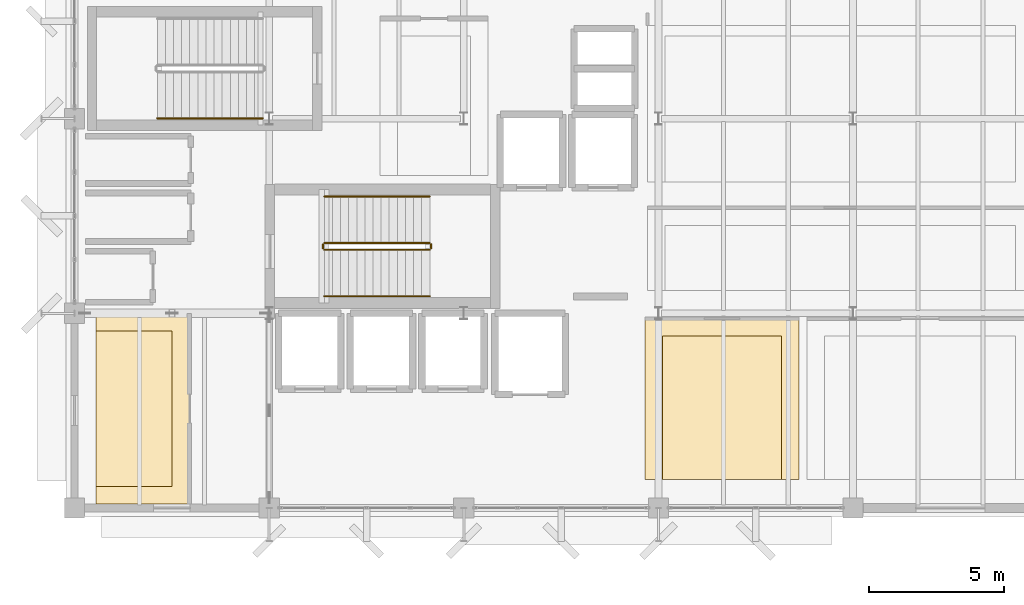
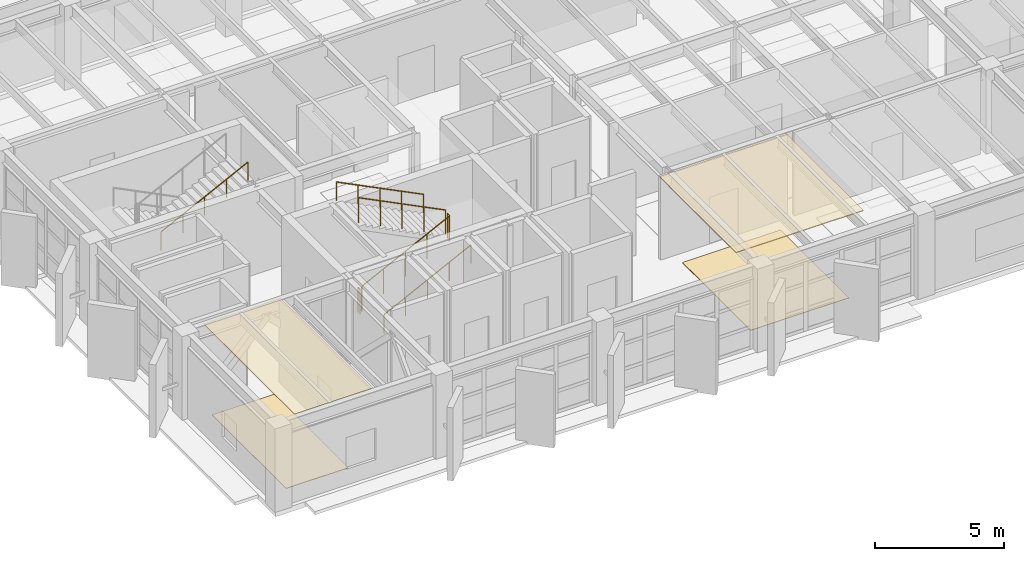
# One storey, part 32 of 37: 7 railings, 4 coverings.
"""IFC4 building model written with IfcOpenShell, lengths in metres."""

import ifcopenshell
import ifcopenshell.guid

model = None  # the IFC model being written
_history = None  # IfcOwnerHistory: only IFC2X3 demands one
_inside = {}  # id of a spatial element -> (the spatial element, [elements in it])
_under = {}  # id of a project, library or spatial element -> (it, [spatial elements below it])
_declared = {}  # id of a project -> (the project, [libraries it declares])
_typed = {}  # id of a type object -> (the type object, [elements of that type])
_made_of = {}  # id of a material, layer set ... -> (it, [elements and type objects made of it])


def new_model(schema):
    """Start an empty IFC model of exactly this schema.

    Asked for "IFC4X3", IfcOpenShell would pick the latest addendum, in which some entities
    have other attributes; the version numbers below select the first issue.
    IFC2X3 requires an IfcOwnerHistory on every rooted entity: one is made here for all.
    """
    global model, _history
    if schema == "IFC4X3":
        model = ifcopenshell.file(schema_version=(4, 3, 0, 0))
    else:
        model = ifcopenshell.file(schema=schema)
    _inside.clear()
    _under.clear()
    _declared.clear()
    _typed.clear()
    _made_of.clear()
    _history = None
    if model.schema == "IFC2X3":
        org = make("IfcOrganization", Name="unknown")
        user = make(
            "IfcPersonAndOrganization",
            ThePerson=make("IfcPerson", FamilyName="unknown"),
            TheOrganization=org,
        )
        app = make(
            "IfcApplication",
            ApplicationDeveloper=org,
            Version="unknown",
            ApplicationFullName="unknown",
            ApplicationIdentifier="unknown",
        )
        _history = make(
            "IfcOwnerHistory",
            OwningUser=user,
            OwningApplication=app,
            ChangeAction="ADDED",
            CreationDate=0,
        )
    return model


def make(cls, **values):
    """One entity of the class cls with the attributes given. An attribute that is None is left unset."""
    return model.create_entity(
        cls, **{name: value for name, value in values.items() if value is not None}
    )


def rooted(cls, **values):
    """An entity with a GlobalId (a new one), such as an element, a storey or a relation."""
    return make(cls, GlobalId=ifcopenshell.guid.new(), OwnerHistory=_history, **values)


def si_unit(unit_type, name, prefix=None):
    """IfcSIUnit, for example si_unit("LENGTHUNIT", "METRE", prefix="MILLI")."""
    return make("IfcSIUnit", UnitType=unit_type, Prefix=prefix, Name=name)


def assignment(units):
    """IfcUnitAssignment: the units of a project."""
    return None if units is None else make("IfcUnitAssignment", Units=units)


def point(xyz):
    """IfcCartesianPoint."""
    return None if xyz is None else make("IfcCartesianPoint", Coordinates=xyz)


def direction(xyz):
    """IfcDirection."""
    return None if xyz is None else make("IfcDirection", DirectionRatios=xyz)


def frame(location, z_axis=None, x_axis=None):
    """IfcAxis2Placement3D, a coordinate frame: its origin and axes. An axis left out is left unset."""
    return make(
        "IfcAxis2Placement3D",
        Location=point(location),
        Axis=direction(z_axis),
        RefDirection=direction(x_axis),
    )


def frame_2d(location, x_axis=None):
    """IfcAxis2Placement2D, a coordinate frame in the plane: its origin and x axis."""
    return make(
        "IfcAxis2Placement2D", Location=point(location), RefDirection=direction(x_axis)
    )


def origin():
    """The frame at (0, 0, 0) with its axes left unset."""
    return frame((0.0, 0.0, 0.0))


def origin_2d():
    """The frame at (0, 0) in the plane with its x axis left unset."""
    return frame_2d((0.0, 0.0))


def place(relative_to, where):
    """IfcLocalPlacement: puts the frame where relative to a parent placement (None: the world)."""
    return make(
        "IfcLocalPlacement", PlacementRelTo=relative_to, RelativePlacement=where
    )


def context(
    kind, dimensions, precision=None, world=None, true_north=None, identifier=None
):
    """IfcGeometricRepresentationContext, for example the 3D "Model" context."""
    return make(
        "IfcGeometricRepresentationContext",
        ContextIdentifier=identifier,
        ContextType=kind,
        CoordinateSpaceDimension=dimensions,
        Precision=precision,
        WorldCoordinateSystem=world,
        TrueNorth=true_north,
    )


def subcontext(parent, identifier, kind, view, scale=None):
    """IfcGeometricRepresentationSubContext, for example "Body" below "Model"."""
    return make(
        "IfcGeometricRepresentationSubContext",
        ContextIdentifier=identifier,
        ContextType=kind,
        ParentContext=parent,
        TargetScale=scale,
        TargetView=view,
    )


def project(units=None, contexts=None):
    """IfcProject with its units and contexts."""
    return rooted(
        "IfcProject",
        Name="project",
        RepresentationContexts=contexts,
        UnitsInContext=assignment(units),
    )


def spatial(cls, under=None, at=None, **own):
    """A site, building, storey or space (cls), placed at a placement, below another one or the project."""
    s = rooted(cls, ObjectPlacement=at, **own)
    if under is not None:
        _under.setdefault(under.id(), (under, []))[1].append(s)
    return s


def polyline(points):
    """IfcPolyline through the points."""
    return make("IfcPolyline", Points=[point(p) for p in points])


def profile(cls, at=None, kind="AREA", **sizes):
    """A parametric profile (cls). Its sizes go by their IFC names, for example OverallWidth=200.0."""
    return make(cls, ProfileType=kind, Position=at, **sizes)


def circle(**sizes):
    """IfcCircleProfileDef."""
    return profile("IfcCircleProfileDef", **sizes)


def outline(outer, holes=None, kind="AREA"):
    """IfcArbitraryClosedProfileDef: a profile drawn as a closed curve; with holes, ...WithVoids."""
    if holes is None:
        return make("IfcArbitraryClosedProfileDef", ProfileType=kind, OuterCurve=outer)
    return make(
        "IfcArbitraryProfileDefWithVoids",
        ProfileType=kind,
        OuterCurve=outer,
        InnerCurves=holes,
    )


def extrude(swept, where, along, depth):
    """IfcExtrudedAreaSolid: the profile swept, set in the frame where, extruded along a direction by depth."""
    return make(
        "IfcExtrudedAreaSolid",
        SweptArea=swept,
        Position=where,
        ExtrudedDirection=direction(along),
        Depth=depth,
    )


def shape(context_of_items, identifier, shape_type, items):
    """IfcShapeRepresentation: the items that make up one representation, for example the "Body"."""
    return make(
        "IfcShapeRepresentation",
        ContextOfItems=context_of_items,
        RepresentationIdentifier=identifier,
        RepresentationType=shape_type,
        Items=items,
    )


def material(Name=None, Category=None):
    """IfcMaterial."""
    return make("IfcMaterial", Name=Name, Category=Category)


def layer(
    of_material, thickness, ventilated=None, Name=None, Category=None, Priority=None
):
    """IfcMaterialLayer: one layer of a wall or slab, of a material (None: an air gap)."""
    return make(
        "IfcMaterialLayer",
        Material=of_material,
        LayerThickness=thickness,
        IsVentilated=ventilated,
        Name=Name,
        Category=Category,
        Priority=Priority,
    )


def layer_set(layers, Name=None):
    """IfcMaterialLayerSet."""
    return make("IfcMaterialLayerSet", MaterialLayers=layers, LayerSetName=Name)


def made_of(thing, what):
    """Note that an element or type object is made of a material, layer set ...; save() writes the relation."""
    if what is not None:
        _made_of.setdefault(what.id(), (what, []))[1].append(thing)
    return thing


def type_object(cls, material=None, **own):
    """A type object (cls), such as IfcWallType, which elements share."""
    return made_of(rooted(cls, **own), material)


def element(
    cls,
    number,
    at=None,
    inside=None,
    cuts=None,
    type_object=None,
    material=None,
    context=None,
    identifier="Body",
    shape_type=None,
    held_by="IfcProductDefinitionShape",
    body=None,
    shapes=None,
    **own,
):
    """One element of the class cls, such as IfcWall. Its Tag is "e" and its number.

    at: its placement. inside: the storey or other place that contains it. cuts: it is an
    opening in that element (IfcRelVoidsElement). A single representation is given by context,
    identifier, shape_type and body (its items); several are given by shapes. held_by: the class
    of the entity that holds the representations. save() writes the other relations.
    """
    e = rooted(cls, Tag="e%d" % number, ObjectPlacement=at, **own)
    if body is not None:
        shapes = [shape(context, identifier, shape_type, body)]
    if shapes is not None:
        e.Representation = make(held_by, Representations=shapes)
    if inside is not None:
        _inside.setdefault(inside.id(), (inside, []))[1].append(e)
    if cuts is not None:
        rooted(
            "IfcRelVoidsElement", RelatingBuildingElement=cuts, RelatedOpeningElement=e
        )
    if type_object is not None:
        _typed.setdefault(type_object.id(), (type_object, []))[1].append(e)
    return made_of(e, material)


def aggregate(whole, parts):
    """IfcRelAggregates: a whole, such as a stair, and the parts it consists of."""
    return rooted("IfcRelAggregates", RelatingObject=whole, RelatedObjects=parts)


def save(model, path):
    """Write the relations noted so far, then the file.

    IfcRelAggregates (storeys below a building ...), IfcRelContainedInSpatialStructure (elements
    in a storey), IfcRelDefinesByType, IfcRelAssociatesMaterial and IfcRelDeclares: one each for
    every whole, place, type object, material and project.
    """
    for whole, parts in _under.values():
        aggregate(whole, parts)
    for where, things in _inside.values():
        rooted(
            "IfcRelContainedInSpatialStructure",
            RelatedElements=things,
            RelatingStructure=where,
        )
    for kind, things in _typed.values():
        rooted("IfcRelDefinesByType", RelatedObjects=things, RelatingType=kind)
    for what, things in _made_of.values():
        rooted("IfcRelAssociatesMaterial", RelatedObjects=things, RelatingMaterial=what)
    for by, libraries in _declared.values():
        rooted("IfcRelDeclares", RelatingContext=by, RelatedDefinitions=libraries)
    model.write(path)


model = new_model("IFC4")

# Units and contexts
model_context = context("Model", 3, precision=1e-05, world=origin(), true_north=direction((0.0, 1.0)))
body_context = subcontext(model_context, "Body", "Model", "MODEL_VIEW")
ifc_project = project(units=[si_unit("LENGTHUNIT", "METRE"), si_unit("AREAUNIT", "SQUARE_METRE"), si_unit("VOLUMEUNIT", "CUBIC_METRE"), si_unit("PLANEANGLEUNIT", "RADIAN"), si_unit("MASSUNIT", "GRAM", prefix="KILO")], contexts=[model_context])

# Site, building, storey
site_placement = place(None, origin())
site = spatial("IfcSite", under=ifc_project, at=site_placement, CompositionType="ELEMENT")
building_placement = place(site_placement, origin())
building = spatial("IfcBuilding", under=site, at=building_placement, Name="Kandorven Conservatory and Botanical Research Centre", CompositionType="ELEMENT")
storey_placement = place(building_placement, frame((0.0, 0.0, 9.0)))
storey = spatial("IfcBuildingStorey", under=building, at=storey_placement, Name="L02", CompositionType="ELEMENT", Elevation=9.0)

# Coverings
ifc_material_1 = material(Name="Perforated mineral-fibre acoustic ceiling tile", Category="gypsum")
ifc_layer_1 = layer(ifc_material_1, 0.0400390625)
ifc_layer_set_1 = layer_set([ifc_layer_1], Name="Perforated mineral-fibre acoustic ceiling tile")
covering_type_1 = type_object("IfcCoveringType", Name="Cov_Ceiling_1", PredefinedType="CEILING", material=ifc_layer_set_1)
covering_1_placement = place(storey_placement, frame((0.0, 0.0, 3.89990234375)))
element("IfcCovering", 1, at=covering_1_placement, inside=storey, type_object=covering_type_1, Name="Suspended acoustic ceiling CLG-01 (Botanical Chemotaxonomy Research Laboratory L02)", PredefinedType="CEILING", context=body_context, shape_type="SweptSolid", body=[
    extrude(outline(polyline([(6.800048828125, 6.14990234375), (10.25, 6.14990234375), (10.25, 13.199951171875), (6.800048828125, 13.199951171875), (6.800048828125, 6.14990234375)])), origin(), (0.0, 0.0, 1.0), 0.0400390625),
])
covering_2_placement = place(storey_placement, frame((0.0, 0.0, 3.89990234375)))
element("IfcCovering", 2, at=covering_2_placement, inside=storey, type_object=covering_type_1, Name="Suspended acoustic ceiling CLG-01 (Plant Physiology Research Laboratory L02)", PredefinedType="CEILING", context=body_context, shape_type="SweptSolid", body=[
    extrude(outline(polyline([(27.10009765625, 7.050048828125), (32.800048828125, 7.050048828125), (32.800048828125, 13.0), (27.10009765625, 13.0), (27.10009765625, 7.050048828125)])), origin(), (0.0, 0.0, 1.0), 0.0400390625),
])
ifc_material_2 = material(Name="Honed Kota stone and epoxy laboratory flooring", Category="masonry")
ifc_layer_2 = layer(ifc_material_2, 0.02490234375)
ifc_layer_set_2 = layer_set([ifc_layer_2], Name="Honed Kota stone and epoxy laboratory flooring")
covering_type_2 = type_object("IfcCoveringType", Name="Cov_Flooring_1", PredefinedType="FLOORING", material=ifc_layer_set_2)
covering_3_placement = place(storey_placement, origin())
element("IfcCovering", 3, at=covering_3_placement, inside=storey, type_object=covering_type_2, Name="Floor finish FLR-01 (Botanical Chemotaxonomy Research Laboratory L02)", PredefinedType="FLOORING", context=body_context, shape_type="SweptSolid", body=[
    extrude(outline(polyline([(6.800048828125, 6.800048828125), (9.60009765625, 6.800048828125), (9.60009765625, 12.550048828125), (6.800048828125, 12.550048828125), (6.800048828125, 6.800048828125)])), origin(), (0.0, 0.0, 1.0), 0.02490234375),
])
covering_4_placement = place(storey_placement, origin())
element("IfcCovering", 4, at=covering_4_placement, inside=storey, type_object=covering_type_2, Name="Floor finish FLR-01 (Plant Physiology Research Laboratory L02)", PredefinedType="FLOORING", context=body_context, shape_type="SweptSolid", body=[
    extrude(outline(polyline([(27.75, 7.050048828125), (32.14990234375, 7.050048828125), (32.14990234375, 12.35009765625), (27.75, 12.35009765625), (27.75, 7.050048828125)])), origin(), (0.0, 0.0, 1.0), 0.02490234375),
])

# Railings
ifc_material_3 = material(Name="Steel S355 (IS 2062 E350)", Category="steel")
railing_type_1 = type_object("IfcRailingType", Name="StairGuard_1150", PredefinedType="BALUSTRADE", material=ifc_material_3)
railing_1_placement = place(storey_placement, frame((15.239990234375, 15.550048828125, 0.14990234375)))
element("IfcRailing", 5, at=railing_1_placement, inside=storey, type_object=railing_type_1, Name="L02 ST-T1 stair guard 1", PredefinedType="BALUSTRADE", context=body_context, shape_type="SweptSolid", body=[
    extrude(circle(Radius=0.02392578125, at=origin_2d()), frame((0.0, 0.0, 1.17578125), z_axis=(0.894404793364, 0.0, 0.447258387967), x_axis=(0.0, 1.0, 0.0)), (0.0, 0.0, 1.0), 4.3603515625),
    extrude(circle(Radius=0.02099609375, at=origin_2d()), origin(), (0.0, 0.0, 1.0), 1.15185546875),
    extrude(circle(Radius=0.02099609375, at=origin_2d()), frame((0.97509765625, 0.0, 0.487548828125)), (0.0, 0.0, 1.0), 1.15185546875),
    extrude(circle(Radius=0.02099609375, at=origin_2d()), frame((1.949951171875, 0.0, 0.97509765625)), (0.0, 0.0, 1.0), 1.15185546875),
    extrude(circle(Radius=0.02099609375, at=origin_2d()), frame((2.9248046875, 0.0, 1.462646484375)), (0.0, 0.0, 1.0), 1.15185546875),
    extrude(circle(Radius=0.02099609375, at=origin_2d()), frame((3.89990234375, 0.0, 1.9501953125)), (0.0, 0.0, 1.0), 1.15185546875),
])
railing_2_placement = place(storey_placement, frame((19.18994140625, 15.60009765625, 2.10009765625)))
element("IfcRailing", 6, at=railing_2_placement, inside=storey, type_object=railing_type_1, Name="L02 ST-T1 stair guard 2", PredefinedType="BALUSTRADE", context=body_context, shape_type="SweptSolid", body=[
    extrude(circle(Radius=0.02392578125, at=origin_2d()), frame((0.0, 0.0, 1.17578125), z_axis=(0.0, 1.0, 0.0), x_axis=(-1.0, 0.0, 0.0)), (0.0, 0.0, 1.0), 0.14990234375),
    extrude(circle(Radius=0.02099609375, at=origin_2d()), origin(), (0.0, 0.0, 1.0), 1.15185546875),
    extrude(circle(Radius=0.02099609375, at=origin_2d()), frame((0.0, 0.14990234375, 0.0)), (0.0, 0.0, 1.0), 1.15185546875),
])
railing_3_placement = place(storey_placement, frame((19.139892578125, 15.800048828125, 2.25)))
element("IfcRailing", 7, at=railing_3_placement, inside=storey, type_object=railing_type_1, Name="L02 ST-T1 stair guard 3", PredefinedType="BALUSTRADE", context=body_context, shape_type="SweptSolid", body=[
    extrude(circle(Radius=0.02392578125, at=origin_2d()), frame((0.0, 0.0, 1.17578125), z_axis=(-0.894427191, 0.0, 0.4472135955), x_axis=(0.0, -1.0, 0.0)), (0.0, 0.0, 1.0), 4.360107421875),
    extrude(circle(Radius=0.02099609375, at=origin_2d()), origin(), (0.0, 0.0, 1.0), 1.15185546875),
    extrude(circle(Radius=0.02099609375, at=origin_2d()), frame((-0.97509765625, 0.0, 0.487548828125)), (0.0, 0.0, 1.0), 1.15185546875),
    extrude(circle(Radius=0.02099609375, at=origin_2d()), frame((-1.949951171875, 0.0, 0.97509765625)), (0.0, 0.0, 1.0), 1.15185546875),
    extrude(circle(Radius=0.02099609375, at=origin_2d()), frame((-2.9248046875, 0.0, 1.46240234375)), (0.0, 0.0, 1.0), 1.15185546875),
    extrude(circle(Radius=0.02099609375, at=origin_2d()), frame((-3.89990234375, 0.0, 1.949951171875)), (0.0, 0.0, 1.0), 1.15185546875),
])
railing_4_placement = place(storey_placement, frame((15.18994140625, 15.60009765625, 0.0)))
element("IfcRailing", 8, at=railing_4_placement, inside=storey, type_object=railing_type_1, Name="L02 ST-T1 stair guard 4", PredefinedType="BALUSTRADE", context=body_context, shape_type="SweptSolid", body=[
    extrude(circle(Radius=0.02392578125, at=origin_2d()), frame((0.0, 0.0, 1.17578125), z_axis=(0.0, 1.0, 0.0), x_axis=(-1.0, 0.0, 0.0)), (0.0, 0.0, 1.0), 0.14990234375),
    extrude(circle(Radius=0.02099609375, at=origin_2d()), origin(), (0.0, 0.0, 1.0), 1.15185546875),
    extrude(circle(Radius=0.02099609375, at=origin_2d()), frame((0.0, 0.14990234375, 0.0)), (0.0, 0.0, 1.0), 1.15185546875),
])
ifc_material_4 = material(Name="Steel S355 (IS 2062 E350)", Category="steel")
railing_type_2 = type_object("IfcRailingType", Name="StairHandrail_900", PredefinedType="HANDRAIL", material=ifc_material_4)
railing_5_placement = place(storey_placement, frame((15.239990234375, 13.830078125, 0.14990234375)))
element("IfcRailing", 9, at=railing_5_placement, inside=storey, type_object=railing_type_2, Name="L02 ST-T1 stair handrail 1", PredefinedType="HANDRAIL", context=body_context, shape_type="SweptSolid", body=[
    extrude(circle(Radius=0.02392578125, at=origin_2d()), frame((0.0, 0.0, 0.8759765625), z_axis=(0.894404793364, 0.0, 0.447258387967), x_axis=(0.0, 1.0, 0.0)), (0.0, 0.0, 1.0), 4.3603515625),
    extrude(circle(Radius=0.02099609375, at=origin_2d()), origin(), (0.0, 0.0, 1.0), 0.851806640625),
    extrude(circle(Radius=0.02099609375, at=origin_2d()), frame((0.97509765625, 0.0, 0.487548828125)), (0.0, 0.0, 1.0), 0.851806640625),
    extrude(circle(Radius=0.02099609375, at=origin_2d()), frame((1.949951171875, 0.0, 0.97509765625)), (0.0, 0.0, 1.0), 0.851806640625),
    extrude(circle(Radius=0.02099609375, at=origin_2d()), frame((2.9248046875, 0.0, 1.462646484375)), (0.0, 0.0, 1.0), 0.851806640625),
    extrude(circle(Radius=0.02099609375, at=origin_2d()), frame((3.89990234375, 0.0, 1.9501953125)), (0.0, 0.0, 1.0), 0.851806640625),
])
railing_6_placement = place(storey_placement, frame((19.139892578125, 17.52001953125, 2.25)))
element("IfcRailing", 10, at=railing_6_placement, inside=storey, type_object=railing_type_2, Name="L02 ST-T1 stair handrail 2", PredefinedType="HANDRAIL", context=body_context, shape_type="SweptSolid", body=[
    extrude(circle(Radius=0.02392578125, at=origin_2d()), frame((0.0, 0.0, 0.8759765625), z_axis=(-0.894427191, 0.0, 0.4472135955), x_axis=(0.0, -1.0, 0.0)), (0.0, 0.0, 1.0), 4.360107421875),
    extrude(circle(Radius=0.02099609375, at=origin_2d()), origin(), (0.0, 0.0, 1.0), 0.851806640625),
    extrude(circle(Radius=0.02099609375, at=origin_2d()), frame((-0.97509765625, 0.0, 0.487548828125)), (0.0, 0.0, 1.0), 0.851806640625),
    extrude(circle(Radius=0.02099609375, at=origin_2d()), frame((-1.949951171875, 0.0, 0.97509765625)), (0.0, 0.0, 1.0), 0.851806640625),
    extrude(circle(Radius=0.02099609375, at=origin_2d()), frame((-2.9248046875, 0.0, 1.46240234375)), (0.0, 0.0, 1.0), 0.851806640625),
    extrude(circle(Radius=0.02099609375, at=origin_2d()), frame((-3.89990234375, 0.0, 1.949951171875)), (0.0, 0.0, 1.0), 0.851806640625),
])
railing_7_placement = place(storey_placement, frame((9.06005859375, 20.409912109375, 2.25)))
element("IfcRailing", 11, at=railing_7_placement, inside=storey, type_object=railing_type_2, Name="L02 ST-T2 stair handrail 2", PredefinedType="HANDRAIL", context=body_context, shape_type="SweptSolid", body=[
    extrude(circle(Radius=0.02392578125, at=origin_2d()), frame((0.0, 0.0, 0.8759765625), z_axis=(0.894427191, 0.0, 0.4472135955), x_axis=(0.0, 1.0, 0.0)), (0.0, 0.0, 1.0), 4.360107421875),
    extrude(circle(Radius=0.02099609375, at=origin_2d()), origin(), (0.0, 0.0, 1.0), 0.851806640625),
    extrude(circle(Radius=0.02099609375, at=origin_2d()), frame((0.97509765625, 0.0, 0.487548828125)), (0.0, 0.0, 1.0), 0.851806640625),
    extrude(circle(Radius=0.02099609375, at=origin_2d()), frame((1.949951171875, 0.0, 0.97509765625)), (0.0, 0.0, 1.0), 0.851806640625),
    extrude(circle(Radius=0.02099609375, at=origin_2d()), frame((2.9248046875, 0.0, 1.46240234375)), (0.0, 0.0, 1.0), 0.851806640625),
    extrude(circle(Radius=0.02099609375, at=origin_2d()), frame((3.89990234375, 0.0, 1.949951171875)), (0.0, 0.0, 1.0), 0.851806640625),
])

save(model, "model.ifc")
